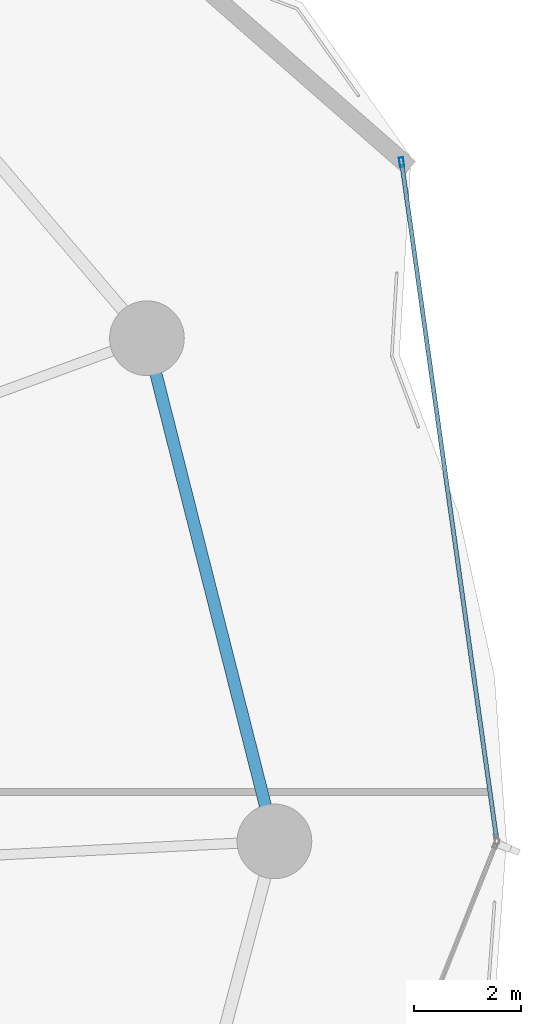
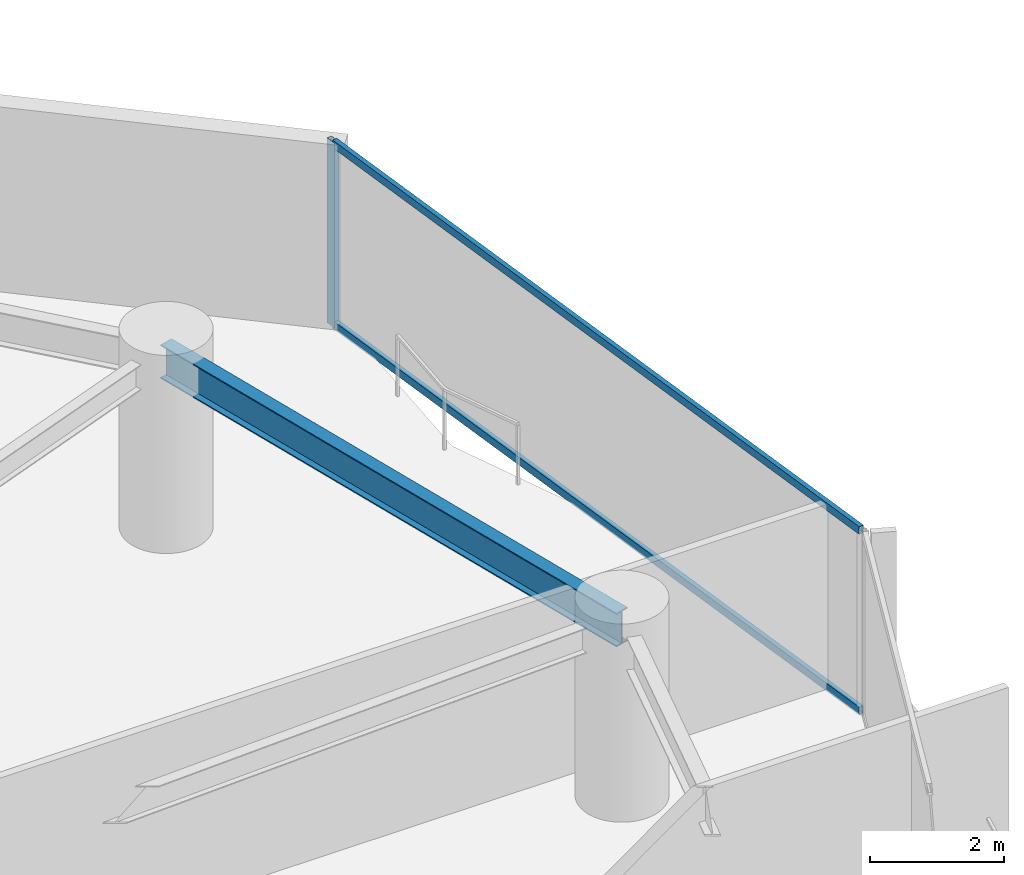
# One storey, part 23 of 31: 3 members, 1 beam, 1 element without a shape of its own.
"""IFC4 building model written with IfcOpenShell, lengths in metres."""

from ifc_helpers import new_model, si_unit, direction, frame, origin, origin_2d, place, context, subcontext, project, spatial, hollow_rectangle, i_section, extrude, material, layer, layer_set, material_profile, profile_set, type_object, element, aggregate, save


model = new_model("IFC4")

# Units and contexts
model_context = context("Model", 3, precision=1e-05, world=origin(), true_north=direction((0.0, 1.0)))
body_context = subcontext(model_context, "Body", "Model", "MODEL_VIEW")
ifc_project = project(units=[si_unit("LENGTHUNIT", "METRE"), si_unit("AREAUNIT", "SQUARE_METRE"), si_unit("VOLUMEUNIT", "CUBIC_METRE"), si_unit("PLANEANGLEUNIT", "RADIAN"), si_unit("MASSUNIT", "GRAM", prefix="KILO")], contexts=[model_context])

# Site, building, storey
site_placement = place(None, origin())
site = spatial("IfcSite", under=ifc_project, at=site_placement, CompositionType="ELEMENT")
building_placement = place(site_placement, origin())
building = spatial("IfcBuilding", under=site, at=building_placement, Name="Kazevale Care Tower and Concert Hall", CompositionType="ELEMENT")
storey_placement = place(building_placement, frame((0.0, 0.0, 60.0)))
storey = spatial("IfcBuildingStorey", under=building, at=storey_placement, Name="L15", CompositionType="ELEMENT", Elevation=60.0)

# Curtain wall, members
ifc_material_1 = material(Name="Aluminium 6063-T6 and Low-E Glass", Category="aluminium")
ifc_layer = layer(ifc_material_1, 0.179931640625)
ifc_layer_set = layer_set([ifc_layer], Name="Aluminium 6063-T6 and Low-E Glass")
curtain_wall_type = type_object("IfcCurtainWallType", Name="Waist & Upper Residential Curtain Wall CW-4", PredefinedType="NOTDEFINED", material=ifc_layer_set)
curtain_wall_placement = place(storey_placement, origin())
curtain_wall = element("IfcCurtainWall", 1, at=curtain_wall_placement, inside=storey, type_object=curtain_wall_type, Name="cw:L15:f18", PredefinedType="NOTDEFINED")
ifc_material_2 = material(Name="Aluminium 6063-T6", Category="aluminium")
ifc_material_profile_1 = material_profile(ifc_material_2, hollow_rectangle(XDim=0.080078125, YDim=0.179931640625, WallThickness=0.0048828125, at=origin_2d()), Name="ALU80x180x5")
ifc_profile_set_1 = profile_set([ifc_material_profile_1], Name="Aluminium 6063-T6")
member_type_1 = type_object("IfcMemberType", Name="CW-4 Mullion ALU80x180x5", PredefinedType="MULLION", material=ifc_profile_set_1)
member_1_placement = place(storey_placement, frame((78.83349609375, 50.7294921875, 0.0), z_axis=(0.0, 0.0, 1.0), x_axis=(0.990295475282, 0.138977953775, 0.0)))
member_1 = element("IfcMember", 2, at=member_1_placement, type_object=member_type_1, Name="CW-4 mullion 1", PredefinedType="MULLION", context=body_context, shape_type="SweptSolid", body=[
    extrude(hollow_rectangle(XDim=0.080078125, YDim=0.179931640625, WallThickness=0.0048828125, at=origin_2d()), origin(), (0.0, 0.0, 1.0), 3.360107421875),
])
ifc_material_profile_2 = material_profile(ifc_material_2, hollow_rectangle(XDim=0.080078125, YDim=0.139892578125, WallThickness=0.00390625, at=origin_2d()), Name="ALU80x140x4")
ifc_profile_set_2 = profile_set([ifc_material_profile_2], Name="Aluminium 6063-T6")
member_type_2 = type_object("IfcMemberType", Name="CW-4 Transom ALU80x140x4", PredefinedType="USERDEFINED", material=ifc_profile_set_2)
member_2_placement = place(storey_placement, frame((78.839111328125, 50.689697265625, 0.0400390625), z_axis=(0.138981041567, -0.990295041937, 0.0), x_axis=(0.990295041937, 0.138981041567, 0.0)))
member_2 = element("IfcMember", 3, at=member_2_placement, type_object=member_type_2, Name="CW-4 transom 1.1", ObjectType="TRANSOM", PredefinedType="USERDEFINED", context=body_context, shape_type="SweptSolid", body=[
    extrude(hollow_rectangle(XDim=0.080078125, YDim=0.139892578125, WallThickness=0.00390625, at=origin_2d()), origin(), (0.0, 0.0, 1.0), 12.73388671875),
])
member_3_placement = place(storey_placement, frame((78.839111328125, 50.689697265625, 3.320068359375), z_axis=(0.138981041567, -0.990295041937, 0.0), x_axis=(0.990295041937, 0.138981041567, 0.0)))
member_3 = element("IfcMember", 4, at=member_3_placement, type_object=member_type_2, Name="CW-4 transom 1.2", ObjectType="TRANSOM", PredefinedType="USERDEFINED", context=body_context, shape_type="SweptSolid", body=[
    extrude(hollow_rectangle(XDim=0.080078125, YDim=0.139892578125, WallThickness=0.00390625, at=origin_2d()), origin(), (0.0, 0.0, 1.0), 12.73388671875),
])
aggregate(curtain_wall, [member_1, member_2, member_3])

# Beam
ifc_material_3 = material(Name="Steel ASTM A572 Gr 50", Category="steel")
ifc_material_profile_3 = material_profile(ifc_material_3, i_section(OverallWidth=0.22900390625, OverallDepth=0.612060546875, WebThickness=0.011962890625, FlangeThickness=0.01953125, at=origin_2d()), Name="W610x125")
ifc_profile_set_3 = profile_set([ifc_material_profile_3], Name="Steel ASTM A572 Gr 50")
beam_type = type_object("IfcBeamType", Name="Ring Spandrel Beam W610x125", PredefinedType="SPANDREL", material=ifc_profile_set_3)
beam_placement = place(storey_placement, frame((76.449951171875, 38.0, 3.053955078125), z_axis=(-0.245669948409, 0.969353535326, 0.0), x_axis=(-0.969353535326, -0.245669948409, 0.0)))
element("IfcBeam", 5, at=beam_placement, inside=storey, type_object=beam_type, Name="beam:L15:ring:01", PredefinedType="SPANDREL", context=body_context, shape_type="SweptSolid", body=[
    extrude(i_section(OverallWidth=0.22900390625, OverallDepth=0.612060546875, WebThickness=0.011962890625, FlangeThickness=0.01953125, at=origin_2d()), origin(), (0.0, 0.0, 1.0), 9.72802734375),
])

save(model, "model.ifc")
